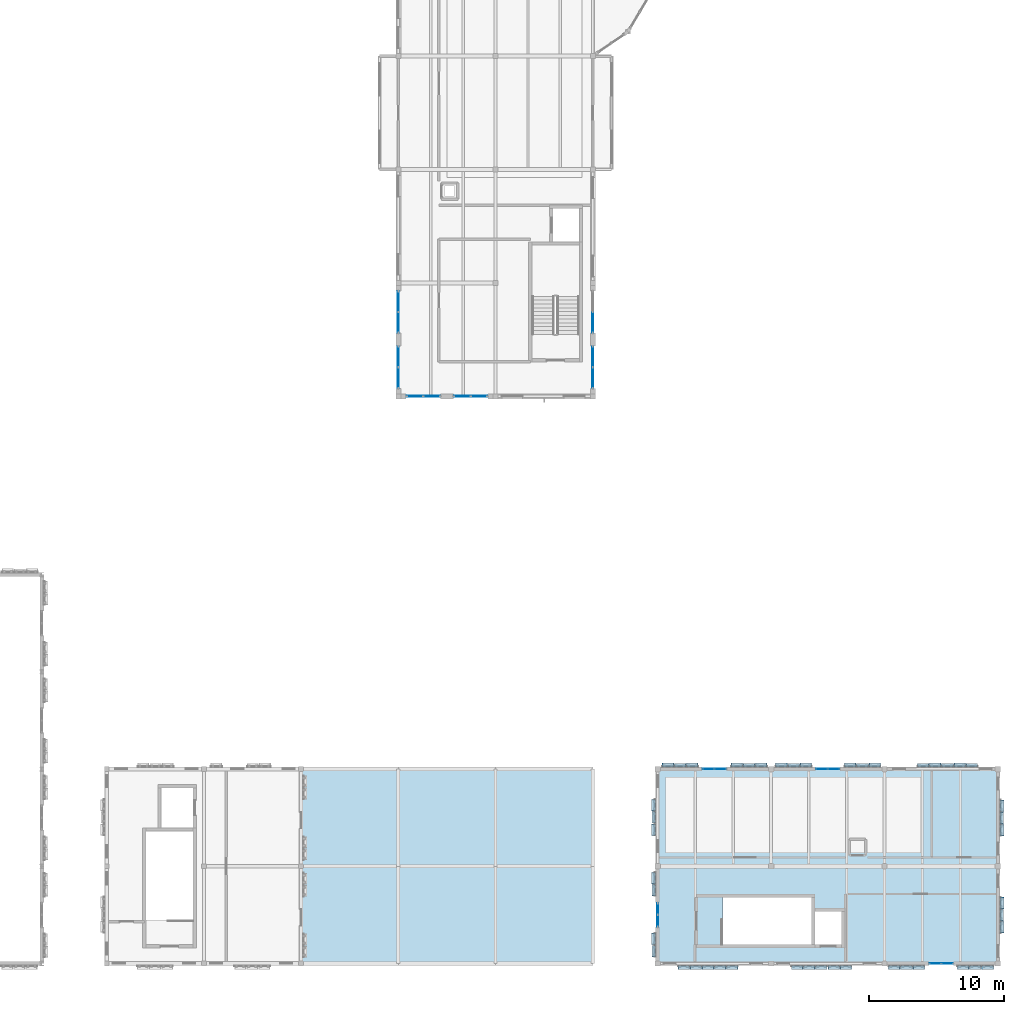
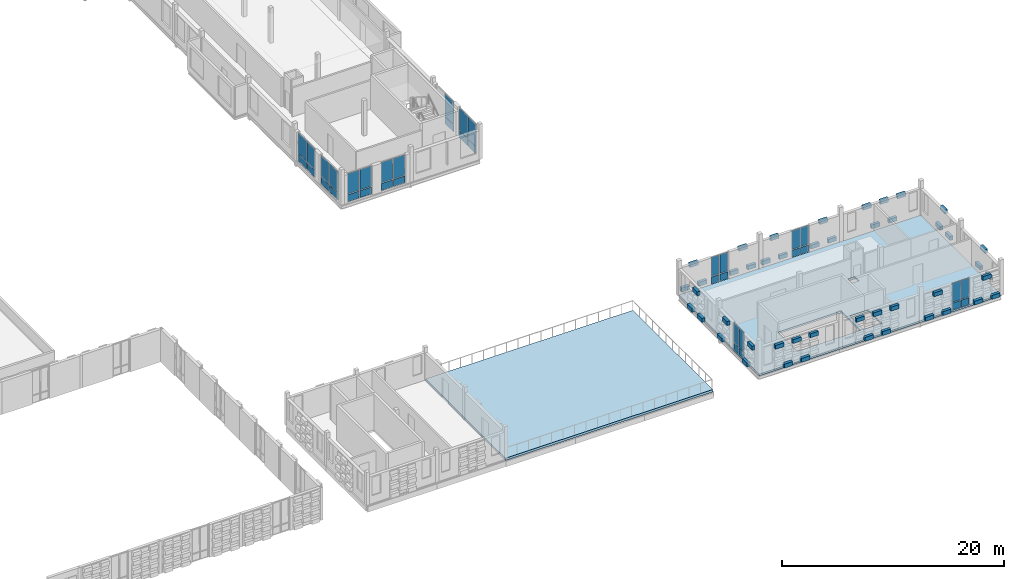
# One storey, part 24 of 57: 84 plates, 2 slabs, 10 elements without a shape of their own.
"""IFC4 building model written with IfcOpenShell, lengths in metres."""

from ifc_helpers import new_model, si_unit, direction, frame, origin, origin_2d, place, context, subcontext, project, spatial, polyline, rectangle, outline, extrude, material, layer, layer_set, type_object, element, aggregate, save


model = new_model("IFC4")

# Units and contexts
model_context = context("Model", 3, precision=1e-05, world=origin(), true_north=direction((0.0, 1.0)))
body_context = subcontext(model_context, "Body", "Model", "MODEL_VIEW")
ifc_project = project(units=[si_unit("LENGTHUNIT", "METRE"), si_unit("AREAUNIT", "SQUARE_METRE"), si_unit("VOLUMEUNIT", "CUBIC_METRE"), si_unit("PLANEANGLEUNIT", "RADIAN"), si_unit("MASSUNIT", "GRAM", prefix="KILO")], contexts=[model_context])

# Site, building, storey
site_placement = place(None, origin())
site = spatial("IfcSite", under=ifc_project, at=site_placement, CompositionType="ELEMENT")
building_placement = place(site_placement, origin())
building = spatial("IfcBuilding", under=site, at=building_placement, Name="Kahlenmark Community Centre", CompositionType="ELEMENT")
storey_placement = place(building_placement, frame((0.0, 0.0, 13.800048828125)))
storey = spatial("IfcBuildingStorey", under=building, at=storey_placement, Name="L03", CompositionType="ELEMENT", Elevation=13.800048828125)

# Curtain wall, plates
ifc_material_1 = material(Name="Anodised aluminium unitised curtain wall", Category="aluminium")
curtain_wall_type_1 = type_object("IfcCurtainWallType", Name="CWT-UNIT-254X317", PredefinedType="USERDEFINED", material=ifc_material_1)
curtain_wall_1_placement = place(storey_placement, origin())
curtain_wall_1 = element("IfcCurtainWall", 1, at=curtain_wall_1_placement, inside=storey, type_object=curtain_wall_type_1, Name="Unitised curtain wall CW-123", ObjectType="UNITISED CURTAIN WALL", PredefinedType="USERDEFINED")
ifc_material_2 = material(Name="Triple low-e solar-control glass unit", Category="glass")
ifc_layer_1 = layer(ifc_material_2, 0.0439453125)
ifc_layer_set_1 = layer_set([ifc_layer_1], Name="Triple low-e solar-control glass unit")
plate_type_1 = type_object("IfcPlateType", Name="PLT-CW-GLZ-1190X2240", PredefinedType="CURTAIN_PANEL", material=ifc_layer_set_1)
plate_1_placement = place(storey_placement, frame((73.614990234375, 50.800048828125, 0.89013671875), z_axis=(0.0, 0.0, 1.0), x_axis=(1.0, 0.0, 0.0)))
plate_1 = element("IfcPlate", 2, at=plate_1_placement, type_object=plate_type_1, Name="CW-123 glazed panel 1", PredefinedType="CURTAIN_PANEL", context=body_context, shape_type="SweptSolid", body=[
    extrude(rectangle(XDim=1.18994140625, YDim=0.0439453125, at=origin_2d()), origin(), (0.0, 0.0, 1.0), 2.239990234375),
])
plate_2_placement = place(storey_placement, frame((74.885009765625, 50.800048828125, 0.89013671875), z_axis=(0.0, 0.0, 1.0), x_axis=(1.0, 0.0, 0.0)))
plate_2 = element("IfcPlate", 3, at=plate_2_placement, type_object=plate_type_1, Name="CW-123 glazed panel 2", PredefinedType="CURTAIN_PANEL", context=body_context, shape_type="SweptSolid", body=[
    extrude(rectangle(XDim=1.18994140625, YDim=0.0439453125, at=origin_2d()), origin(), (0.0, 0.0, 1.0), 2.239990234375),
])

curtain_wall_2_placement = place(storey_placement, origin())
curtain_wall_2 = element("IfcCurtainWall", 4, at=curtain_wall_2_placement, inside=storey, type_object=curtain_wall_type_1, Name="Unitised curtain wall CW-124", ObjectType="UNITISED CURTAIN WALL", PredefinedType="USERDEFINED")
plate_3_placement = place(storey_placement, frame((77.114990234375, 50.800048828125, 0.89013671875), z_axis=(0.0, 0.0, 1.0), x_axis=(1.0, 0.0, 0.0)))
plate_3 = element("IfcPlate", 5, at=plate_3_placement, type_object=plate_type_1, Name="CW-124 glazed panel 1", PredefinedType="CURTAIN_PANEL", context=body_context, shape_type="SweptSolid", body=[
    extrude(rectangle(XDim=1.18994140625, YDim=0.0439453125, at=origin_2d()), origin(), (0.0, 0.0, 1.0), 2.239990234375),
])
plate_4_placement = place(storey_placement, frame((78.385009765625, 50.800048828125, 0.89013671875), z_axis=(0.0, 0.0, 1.0), x_axis=(1.0, 0.0, 0.0)))
plate_4 = element("IfcPlate", 6, at=plate_4_placement, type_object=plate_type_1, Name="CW-124 glazed panel 2", PredefinedType="CURTAIN_PANEL", context=body_context, shape_type="SweptSolid", body=[
    extrude(rectangle(XDim=1.18994140625, YDim=0.0439453125, at=origin_2d()), origin(), (0.0, 0.0, 1.0), 2.239990234375),
])

curtain_wall_type_2 = type_object("IfcCurtainWallType", Name="CWT-UNIT-314X320", PredefinedType="USERDEFINED", material=ifc_material_1)
curtain_wall_3_placement = place(storey_placement, origin())
curtain_wall_3 = element("IfcCurtainWall", 7, at=curtain_wall_3_placement, inside=storey, type_object=curtain_wall_type_2, Name="Unitised curtain wall CW-125", ObjectType="UNITISED CURTAIN WALL", PredefinedType="USERDEFINED")
ifc_layer_2 = layer(ifc_material_2, 0.0439453125)
ifc_layer_set_2 = layer_set([ifc_layer_2], Name="Triple low-e solar-control glass unit")
plate_type_2 = type_object("IfcPlateType", Name="PLT-CW-GLZ-1490X2270", PredefinedType="CURTAIN_PANEL", material=ifc_layer_set_2)
plate_5_placement = place(storey_placement, frame((72.39990234375, 57.8349609375, 0.889892578125), z_axis=(0.0, 0.0, 1.0), x_axis=(0.0, -1.0, 0.0)))
plate_5 = element("IfcPlate", 8, at=plate_5_placement, type_object=plate_type_2, Name="CW-125 glazed panel 1", PredefinedType="CURTAIN_PANEL", context=body_context, shape_type="SweptSolid", body=[
    extrude(rectangle(XDim=1.489990234375, YDim=0.0439453125, at=origin_2d()), origin(), (0.0, 0.0, 1.0), 2.27001953125),
])
plate_6_placement = place(storey_placement, frame((72.39990234375, 56.264892578125, 0.889892578125), z_axis=(0.0, 0.0, 1.0), x_axis=(0.0, -1.0, 0.0)))
plate_6 = element("IfcPlate", 9, at=plate_6_placement, type_object=plate_type_2, Name="CW-125 glazed panel 2", PredefinedType="CURTAIN_PANEL", context=body_context, shape_type="SweptSolid", body=[
    extrude(rectangle(XDim=1.489990234375, YDim=0.0439453125, at=origin_2d()), origin(), (0.0, 0.0, 1.0), 2.27001953125),
])

curtain_wall_4_placement = place(storey_placement, origin())
curtain_wall_4 = element("IfcCurtainWall", 10, at=curtain_wall_4_placement, inside=storey, type_object=curtain_wall_type_2, Name="Unitised curtain wall CW-126", ObjectType="UNITISED CURTAIN WALL", PredefinedType="USERDEFINED")
plate_7_placement = place(storey_placement, frame((72.39990234375, 53.735107421875, 0.889892578125), z_axis=(0.0, 0.0, 1.0), x_axis=(0.0, -1.0, 0.0)))
plate_7 = element("IfcPlate", 11, at=plate_7_placement, type_object=plate_type_2, Name="CW-126 glazed panel 1", PredefinedType="CURTAIN_PANEL", context=body_context, shape_type="SweptSolid", body=[
    extrude(rectangle(XDim=1.489990234375, YDim=0.0439453125, at=origin_2d()), origin(), (0.0, 0.0, 1.0), 2.27001953125),
])
plate_8_placement = place(storey_placement, frame((72.39990234375, 52.1650390625, 0.889892578125), z_axis=(0.0, 0.0, 1.0), x_axis=(0.0, -1.0, 0.0)))
plate_8 = element("IfcPlate", 12, at=plate_8_placement, type_object=plate_type_2, Name="CW-126 glazed panel 2", PredefinedType="CURTAIN_PANEL", context=body_context, shape_type="SweptSolid", body=[
    extrude(rectangle(XDim=1.489990234375, YDim=0.0439453125, at=origin_2d()), origin(), (0.0, 0.0, 1.0), 2.27001953125),
])

curtain_wall_type_3 = type_object("IfcCurtainWallType", Name="CWT-UNIT-314X339", PredefinedType="USERDEFINED", material=ifc_material_1)
curtain_wall_5_placement = place(storey_placement, origin())
curtain_wall_5 = element("IfcCurtainWall", 13, at=curtain_wall_5_placement, inside=storey, type_object=curtain_wall_type_3, Name="Unitised curtain wall CW-127", ObjectType="UNITISED CURTAIN WALL", PredefinedType="USERDEFINED")
ifc_layer_3 = layer(ifc_material_2, 0.0439453125)
ifc_layer_set_3 = layer_set([ifc_layer_3], Name="Triple low-e solar-control glass unit")
plate_type_3 = type_object("IfcPlateType", Name="PLT-CW-GLZ-1490X2460", PredefinedType="CURTAIN_PANEL", material=ifc_layer_set_3)
plate_9_placement = place(storey_placement, frame((86.800048828125, 52.1650390625, 0.889892578125), z_axis=(0.0, 0.0, 1.0), x_axis=(0.0, 1.0, 0.0)))
plate_9 = element("IfcPlate", 14, at=plate_9_placement, type_object=plate_type_3, Name="CW-127 glazed panel 1", PredefinedType="CURTAIN_PANEL", context=body_context, shape_type="SweptSolid", body=[
    extrude(rectangle(XDim=1.489990234375, YDim=0.0439453125, at=origin_2d()), origin(), (0.0, 0.0, 1.0), 2.4599609375),
])
plate_10_placement = place(storey_placement, frame((86.800048828125, 53.735107421875, 0.889892578125), z_axis=(0.0, 0.0, 1.0), x_axis=(0.0, 1.0, 0.0)))
plate_10 = element("IfcPlate", 15, at=plate_10_placement, type_object=plate_type_3, Name="CW-127 glazed panel 2", PredefinedType="CURTAIN_PANEL", context=body_context, shape_type="SweptSolid", body=[
    extrude(rectangle(XDim=1.489990234375, YDim=0.0439453125, at=origin_2d()), origin(), (0.0, 0.0, 1.0), 2.4599609375),
])

# Curtain wall, plate
curtain_wall_6_placement = place(storey_placement, origin())
curtain_wall_6 = element("IfcCurtainWall", 16, at=curtain_wall_6_placement, inside=storey, type_object=curtain_wall_type_3, Name="Unitised curtain wall CW-128", ObjectType="UNITISED CURTAIN WALL", PredefinedType="USERDEFINED")
plate_11_placement = place(storey_placement, frame((86.800048828125, 56.264892578125, 0.889892578125), z_axis=(0.0, 0.0, 1.0), x_axis=(0.0, 1.0, 0.0)))
plate_11 = element("IfcPlate", 17, at=plate_11_placement, type_object=plate_type_3, Name="CW-128 glazed panel 1", PredefinedType="CURTAIN_PANEL", context=body_context, shape_type="SweptSolid", body=[
    extrude(rectangle(XDim=1.489990234375, YDim=0.0439453125, at=origin_2d()), origin(), (0.0, 0.0, 1.0), 2.4599609375),
])

# Curtain wall, plates
curtain_wall_type_4 = type_object("IfcCurtainWallType", Name="CWT-UNIT-180X301", PredefinedType="USERDEFINED", material=ifc_material_1)
curtain_wall_7_placement = place(storey_placement, origin())
curtain_wall_7 = element("IfcCurtainWall", 18, at=curtain_wall_7_placement, inside=storey, type_object=curtain_wall_type_4, Name="Unitised curtain wall CW-129", ObjectType="UNITISED CURTAIN WALL", PredefinedType="USERDEFINED")
ifc_layer_4 = layer(ifc_material_2, 0.0439453125)
ifc_layer_set_4 = layer_set([ifc_layer_4], Name="Triple low-e solar-control glass unit")
plate_type_4 = type_object("IfcPlateType", Name="PLT-CW-GLZ-820X2080", PredefinedType="CURTAIN_PANEL", material=ifc_layer_set_4)
plate_12_placement = place(storey_placement, frame((112.14990234375, 8.800048828125, 0.889892578125), z_axis=(0.0, 0.0, 1.0), x_axis=(1.0, 0.0, 0.0)))
plate_12 = element("IfcPlate", 19, at=plate_12_placement, type_object=plate_type_4, Name="CW-129 glazed panel 1", PredefinedType="CURTAIN_PANEL", context=body_context, shape_type="SweptSolid", body=[
    extrude(rectangle(XDim=0.820068359375, YDim=0.0439453125, at=origin_2d()), origin(), (0.0, 0.0, 1.0), 2.080078125),
])
plate_13_placement = place(storey_placement, frame((113.050048828125, 8.800048828125, 0.889892578125), z_axis=(0.0, 0.0, 1.0), x_axis=(1.0, 0.0, 0.0)))
plate_13 = element("IfcPlate", 20, at=plate_13_placement, type_object=plate_type_4, Name="CW-129 glazed panel 2", PredefinedType="CURTAIN_PANEL", context=body_context, shape_type="SweptSolid", body=[
    extrude(rectangle(XDim=0.820068359375, YDim=0.0439453125, at=origin_2d()), origin(), (0.0, 0.0, 1.0), 2.080078125),
])

curtain_wall_8_placement = place(storey_placement, origin())
curtain_wall_8 = element("IfcCurtainWall", 21, at=curtain_wall_8_placement, inside=storey, type_object=curtain_wall_type_4, Name="Unitised curtain wall CW-130", ObjectType="UNITISED CURTAIN WALL", PredefinedType="USERDEFINED")
plate_14_placement = place(storey_placement, frame((96.25, 23.199951171875, 0.889892578125), z_axis=(0.0, 0.0, 1.0), x_axis=(-1.0, 0.0, 0.0)))
plate_14 = element("IfcPlate", 22, at=plate_14_placement, type_object=plate_type_4, Name="CW-130 glazed panel 1", PredefinedType="CURTAIN_PANEL", context=body_context, shape_type="SweptSolid", body=[
    extrude(rectangle(XDim=0.820068359375, YDim=0.0439453125, at=origin_2d()), origin(), (0.0, 0.0, 1.0), 2.080078125),
])
plate_15_placement = place(storey_placement, frame((95.35009765625, 23.199951171875, 0.889892578125), z_axis=(0.0, 0.0, 1.0), x_axis=(-1.0, 0.0, 0.0)))
plate_15 = element("IfcPlate", 23, at=plate_15_placement, type_object=plate_type_4, Name="CW-130 glazed panel 2", PredefinedType="CURTAIN_PANEL", context=body_context, shape_type="SweptSolid", body=[
    extrude(rectangle(XDim=0.820068359375, YDim=0.0439453125, at=origin_2d()), origin(), (0.0, 0.0, 1.0), 2.080078125),
])

curtain_wall_9_placement = place(storey_placement, origin())
curtain_wall_9 = element("IfcCurtainWall", 24, at=curtain_wall_9_placement, inside=storey, type_object=curtain_wall_type_4, Name="Unitised curtain wall CW-131", ObjectType="UNITISED CURTAIN WALL", PredefinedType="USERDEFINED")
plate_16_placement = place(storey_placement, frame((104.64990234375, 23.199951171875, 0.889892578125), z_axis=(0.0, 0.0, 1.0), x_axis=(-1.0, 0.0, 0.0)))
plate_16 = element("IfcPlate", 25, at=plate_16_placement, type_object=plate_type_4, Name="CW-131 glazed panel 1", PredefinedType="CURTAIN_PANEL", context=body_context, shape_type="SweptSolid", body=[
    extrude(rectangle(XDim=0.820068359375, YDim=0.0439453125, at=origin_2d()), origin(), (0.0, 0.0, 1.0), 2.080078125),
])
plate_17_placement = place(storey_placement, frame((103.75, 23.199951171875, 0.889892578125), z_axis=(0.0, 0.0, 1.0), x_axis=(-1.0, 0.0, 0.0)))
plate_17 = element("IfcPlate", 26, at=plate_17_placement, type_object=plate_type_4, Name="CW-131 glazed panel 2", PredefinedType="CURTAIN_PANEL", context=body_context, shape_type="SweptSolid", body=[
    extrude(rectangle(XDim=0.820068359375, YDim=0.0439453125, at=origin_2d()), origin(), (0.0, 0.0, 1.0), 2.080078125),
])

curtain_wall_10_placement = place(storey_placement, origin())
curtain_wall_10 = element("IfcCurtainWall", 27, at=curtain_wall_10_placement, inside=storey, type_object=curtain_wall_type_4, Name="Unitised curtain wall CW-132", ObjectType="UNITISED CURTAIN WALL", PredefinedType="USERDEFINED")
plate_18_placement = place(storey_placement, frame((91.60009765625, 12.85009765625, 0.889892578125), z_axis=(0.0, 0.0, 1.0), x_axis=(0.0, -1.0, 0.0)))
plate_18 = element("IfcPlate", 28, at=plate_18_placement, type_object=plate_type_4, Name="CW-132 glazed panel 1", PredefinedType="CURTAIN_PANEL", context=body_context, shape_type="SweptSolid", body=[
    extrude(rectangle(XDim=0.820068359375, YDim=0.0439453125, at=origin_2d()), origin(), (0.0, 0.0, 1.0), 2.080078125),
])
plate_19_placement = place(storey_placement, frame((91.60009765625, 11.949951171875, 0.889892578125), z_axis=(0.0, 0.0, 1.0), x_axis=(0.0, -1.0, 0.0)))
plate_19 = element("IfcPlate", 29, at=plate_19_placement, type_object=plate_type_4, Name="CW-132 glazed panel 2", PredefinedType="CURTAIN_PANEL", context=body_context, shape_type="SweptSolid", body=[
    extrude(rectangle(XDim=0.820068359375, YDim=0.0439453125, at=origin_2d()), origin(), (0.0, 0.0, 1.0), 2.080078125),
])

# Plate
ifc_material_3 = material(Name="Warm terracotta insulated spandrel cassette", Category="masonry")
ifc_layer_5 = layer(ifc_material_3, 0.06005859375)
ifc_layer_set_5 = layer_set([ifc_layer_5], Name="Warm terracotta insulated spandrel cassette")
plate_type_5 = type_object("IfcPlateType", Name="PLT-CW-SPD-1190X770", PredefinedType="CURTAIN_PANEL", material=ifc_layer_set_5)
plate_20_placement = place(storey_placement, frame((73.614990234375, 50.800048828125, 0.0400390625), z_axis=(0.0, 0.0, 1.0), x_axis=(1.0, 0.0, 0.0)))
plate_20 = element("IfcPlate", 30, at=plate_20_placement, type_object=plate_type_5, Name="CW-123 spandrel 1", PredefinedType="CURTAIN_PANEL", context=body_context, shape_type="SweptSolid", body=[
    extrude(rectangle(XDim=1.18994140625, YDim=0.06005859375, at=origin_2d()), origin(), (0.0, 0.0, 1.0), 0.77001953125),
])

plate_21_placement = place(storey_placement, frame((74.885009765625, 50.800048828125, 0.0400390625), z_axis=(0.0, 0.0, 1.0), x_axis=(1.0, 0.0, 0.0)))
plate_21 = element("IfcPlate", 31, at=plate_21_placement, type_object=plate_type_5, Name="CW-123 spandrel 2", PredefinedType="CURTAIN_PANEL", context=body_context, shape_type="SweptSolid", body=[
    extrude(rectangle(XDim=1.18994140625, YDim=0.06005859375, at=origin_2d()), origin(), (0.0, 0.0, 1.0), 0.77001953125),
])

aggregate(curtain_wall_1, [plate_20, plate_1, plate_21, plate_2])

plate_22_placement = place(storey_placement, frame((77.114990234375, 50.800048828125, 0.0400390625), z_axis=(0.0, 0.0, 1.0), x_axis=(1.0, 0.0, 0.0)))
plate_22 = element("IfcPlate", 32, at=plate_22_placement, type_object=plate_type_5, Name="CW-124 spandrel 1", PredefinedType="CURTAIN_PANEL", context=body_context, shape_type="SweptSolid", body=[
    extrude(rectangle(XDim=1.18994140625, YDim=0.06005859375, at=origin_2d()), origin(), (0.0, 0.0, 1.0), 0.77001953125),
])

plate_23_placement = place(storey_placement, frame((78.385009765625, 50.800048828125, 0.0400390625), z_axis=(0.0, 0.0, 1.0), x_axis=(1.0, 0.0, 0.0)))
plate_23 = element("IfcPlate", 33, at=plate_23_placement, type_object=plate_type_5, Name="CW-124 spandrel 2", PredefinedType="CURTAIN_PANEL", context=body_context, shape_type="SweptSolid", body=[
    extrude(rectangle(XDim=1.18994140625, YDim=0.06005859375, at=origin_2d()), origin(), (0.0, 0.0, 1.0), 0.77001953125),
])

aggregate(curtain_wall_2, [plate_22, plate_3, plate_23, plate_4])

ifc_layer_6 = layer(ifc_material_3, 0.06005859375)
ifc_layer_set_6 = layer_set([ifc_layer_6], Name="Warm terracotta insulated spandrel cassette")
plate_type_6 = type_object("IfcPlateType", Name="PLT-CW-SPD-1490X770", PredefinedType="CURTAIN_PANEL", material=ifc_layer_set_6)
plate_24_placement = place(storey_placement, frame((72.39990234375, 57.8349609375, 0.0400390625), z_axis=(0.0, 0.0, 1.0), x_axis=(0.0, -1.0, 0.0)))
plate_24 = element("IfcPlate", 34, at=plate_24_placement, type_object=plate_type_6, Name="CW-125 spandrel 1", PredefinedType="CURTAIN_PANEL", context=body_context, shape_type="SweptSolid", body=[
    extrude(rectangle(XDim=1.489990234375, YDim=0.06005859375, at=origin_2d()), origin(), (0.0, 0.0, 1.0), 0.77001953125),
])

plate_25_placement = place(storey_placement, frame((72.39990234375, 56.264892578125, 0.0400390625), z_axis=(0.0, 0.0, 1.0), x_axis=(0.0, -1.0, 0.0)))
plate_25 = element("IfcPlate", 35, at=plate_25_placement, type_object=plate_type_6, Name="CW-125 spandrel 2", PredefinedType="CURTAIN_PANEL", context=body_context, shape_type="SweptSolid", body=[
    extrude(rectangle(XDim=1.489990234375, YDim=0.06005859375, at=origin_2d()), origin(), (0.0, 0.0, 1.0), 0.77001953125),
])

aggregate(curtain_wall_3, [plate_24, plate_5, plate_25, plate_6])

plate_26_placement = place(storey_placement, frame((72.39990234375, 53.735107421875, 0.0400390625), z_axis=(0.0, 0.0, 1.0), x_axis=(0.0, -1.0, 0.0)))
plate_26 = element("IfcPlate", 36, at=plate_26_placement, type_object=plate_type_6, Name="CW-126 spandrel 1", PredefinedType="CURTAIN_PANEL", context=body_context, shape_type="SweptSolid", body=[
    extrude(rectangle(XDim=1.489990234375, YDim=0.06005859375, at=origin_2d()), origin(), (0.0, 0.0, 1.0), 0.77001953125),
])

plate_27_placement = place(storey_placement, frame((72.39990234375, 52.1650390625, 0.0400390625), z_axis=(0.0, 0.0, 1.0), x_axis=(0.0, -1.0, 0.0)))
plate_27 = element("IfcPlate", 37, at=plate_27_placement, type_object=plate_type_6, Name="CW-126 spandrel 2", PredefinedType="CURTAIN_PANEL", context=body_context, shape_type="SweptSolid", body=[
    extrude(rectangle(XDim=1.489990234375, YDim=0.06005859375, at=origin_2d()), origin(), (0.0, 0.0, 1.0), 0.77001953125),
])

aggregate(curtain_wall_4, [plate_26, plate_7, plate_27, plate_8])

plate_28_placement = place(storey_placement, frame((86.800048828125, 52.1650390625, 0.0400390625), z_axis=(0.0, 0.0, 1.0), x_axis=(0.0, 1.0, 0.0)))
plate_28 = element("IfcPlate", 38, at=plate_28_placement, type_object=plate_type_6, Name="CW-127 spandrel 1", PredefinedType="CURTAIN_PANEL", context=body_context, shape_type="SweptSolid", body=[
    extrude(rectangle(XDim=1.489990234375, YDim=0.06005859375, at=origin_2d()), origin(), (0.0, 0.0, 1.0), 0.77001953125),
])

plate_29_placement = place(storey_placement, frame((86.800048828125, 53.735107421875, 0.0400390625), z_axis=(0.0, 0.0, 1.0), x_axis=(0.0, 1.0, 0.0)))
plate_29 = element("IfcPlate", 39, at=plate_29_placement, type_object=plate_type_6, Name="CW-127 spandrel 2", PredefinedType="CURTAIN_PANEL", context=body_context, shape_type="SweptSolid", body=[
    extrude(rectangle(XDim=1.489990234375, YDim=0.06005859375, at=origin_2d()), origin(), (0.0, 0.0, 1.0), 0.77001953125),
])

aggregate(curtain_wall_5, [plate_28, plate_9, plate_29, plate_10])

plate_30_placement = place(storey_placement, frame((86.800048828125, 56.264892578125, 0.0400390625), z_axis=(0.0, 0.0, 1.0), x_axis=(0.0, 1.0, 0.0)))
plate_30 = element("IfcPlate", 40, at=plate_30_placement, type_object=plate_type_6, Name="CW-128 spandrel 1", PredefinedType="CURTAIN_PANEL", context=body_context, shape_type="SweptSolid", body=[
    extrude(rectangle(XDim=1.489990234375, YDim=0.06005859375, at=origin_2d()), origin(), (0.0, 0.0, 1.0), 0.77001953125),
])

aggregate(curtain_wall_6, [plate_30, plate_11])

ifc_layer_7 = layer(ifc_material_3, 0.06005859375)
ifc_layer_set_7 = layer_set([ifc_layer_7], Name="Warm terracotta insulated spandrel cassette")
plate_type_7 = type_object("IfcPlateType", Name="PLT-CW-SPD-820X770", PredefinedType="CURTAIN_PANEL", material=ifc_layer_set_7)
plate_31_placement = place(storey_placement, frame((112.14990234375, 8.800048828125, 0.0400390625), z_axis=(0.0, 0.0, 1.0), x_axis=(1.0, 0.0, 0.0)))
plate_31 = element("IfcPlate", 41, at=plate_31_placement, type_object=plate_type_7, Name="CW-129 spandrel 1", PredefinedType="CURTAIN_PANEL", context=body_context, shape_type="SweptSolid", body=[
    extrude(rectangle(XDim=0.820068359375, YDim=0.06005859375, at=origin_2d()), origin(), (0.0, 0.0, 1.0), 0.77001953125),
])

plate_32_placement = place(storey_placement, frame((113.050048828125, 8.800048828125, 0.0400390625), z_axis=(0.0, 0.0, 1.0), x_axis=(1.0, 0.0, 0.0)))
plate_32 = element("IfcPlate", 42, at=plate_32_placement, type_object=plate_type_7, Name="CW-129 spandrel 2", PredefinedType="CURTAIN_PANEL", context=body_context, shape_type="SweptSolid", body=[
    extrude(rectangle(XDim=0.820068359375, YDim=0.06005859375, at=origin_2d()), origin(), (0.0, 0.0, 1.0), 0.77001953125),
])

aggregate(curtain_wall_7, [plate_31, plate_12, plate_32, plate_13])

plate_33_placement = place(storey_placement, frame((96.25, 23.199951171875, 0.0400390625), z_axis=(0.0, 0.0, 1.0), x_axis=(-1.0, 0.0, 0.0)))
plate_33 = element("IfcPlate", 43, at=plate_33_placement, type_object=plate_type_7, Name="CW-130 spandrel 1", PredefinedType="CURTAIN_PANEL", context=body_context, shape_type="SweptSolid", body=[
    extrude(rectangle(XDim=0.820068359375, YDim=0.06005859375, at=origin_2d()), origin(), (0.0, 0.0, 1.0), 0.77001953125),
])

plate_34_placement = place(storey_placement, frame((95.35009765625, 23.199951171875, 0.0400390625), z_axis=(0.0, 0.0, 1.0), x_axis=(-1.0, 0.0, 0.0)))
plate_34 = element("IfcPlate", 44, at=plate_34_placement, type_object=plate_type_7, Name="CW-130 spandrel 2", PredefinedType="CURTAIN_PANEL", context=body_context, shape_type="SweptSolid", body=[
    extrude(rectangle(XDim=0.820068359375, YDim=0.06005859375, at=origin_2d()), origin(), (0.0, 0.0, 1.0), 0.77001953125),
])

aggregate(curtain_wall_8, [plate_33, plate_14, plate_34, plate_15])

plate_35_placement = place(storey_placement, frame((104.64990234375, 23.199951171875, 0.0400390625), z_axis=(0.0, 0.0, 1.0), x_axis=(-1.0, 0.0, 0.0)))
plate_35 = element("IfcPlate", 45, at=plate_35_placement, type_object=plate_type_7, Name="CW-131 spandrel 1", PredefinedType="CURTAIN_PANEL", context=body_context, shape_type="SweptSolid", body=[
    extrude(rectangle(XDim=0.820068359375, YDim=0.06005859375, at=origin_2d()), origin(), (0.0, 0.0, 1.0), 0.77001953125),
])

plate_36_placement = place(storey_placement, frame((103.75, 23.199951171875, 0.0400390625), z_axis=(0.0, 0.0, 1.0), x_axis=(-1.0, 0.0, 0.0)))
plate_36 = element("IfcPlate", 46, at=plate_36_placement, type_object=plate_type_7, Name="CW-131 spandrel 2", PredefinedType="CURTAIN_PANEL", context=body_context, shape_type="SweptSolid", body=[
    extrude(rectangle(XDim=0.820068359375, YDim=0.06005859375, at=origin_2d()), origin(), (0.0, 0.0, 1.0), 0.77001953125),
])

aggregate(curtain_wall_9, [plate_35, plate_16, plate_36, plate_17])

plate_37_placement = place(storey_placement, frame((91.60009765625, 12.85009765625, 0.0400390625), z_axis=(0.0, 0.0, 1.0), x_axis=(0.0, -1.0, 0.0)))
plate_37 = element("IfcPlate", 47, at=plate_37_placement, type_object=plate_type_7, Name="CW-132 spandrel 1", PredefinedType="CURTAIN_PANEL", context=body_context, shape_type="SweptSolid", body=[
    extrude(rectangle(XDim=0.820068359375, YDim=0.06005859375, at=origin_2d()), origin(), (0.0, 0.0, 1.0), 0.77001953125),
])

plate_38_placement = place(storey_placement, frame((91.60009765625, 11.949951171875, 0.0400390625), z_axis=(0.0, 0.0, 1.0), x_axis=(0.0, -1.0, 0.0)))
plate_38 = element("IfcPlate", 48, at=plate_38_placement, type_object=plate_type_7, Name="CW-132 spandrel 2", PredefinedType="CURTAIN_PANEL", context=body_context, shape_type="SweptSolid", body=[
    extrude(rectangle(XDim=0.820068359375, YDim=0.06005859375, at=origin_2d()), origin(), (0.0, 0.0, 1.0), 0.77001953125),
])

aggregate(curtain_wall_10, [plate_37, plate_18, plate_38, plate_19])

# Plates
ifc_material_4 = material(Name="Extruded glazed terracotta weave cassette", Category="masonry")
ifc_layer_8 = layer(ifc_material_4, 0.300048828125)
ifc_layer_set_8 = layer_set([ifc_layer_8], Name="Extruded glazed terracotta weave cassette")
plate_type_8 = type_object("IfcPlateType", Name="PLT-TC-TC-R34-860X300X435", PredefinedType="SHEET", material=ifc_layer_set_8)
for number, where, z_axis, x_axis, name in (
    (49, (94.429931640625, 8.5, 0.099853515625), (0.0, 0.0, 1.0), (1.0, 0.0, 0.0), "Basketweave terracotta cassette 4202"),
    (50, (96.22998046875, 8.5, 0.099853515625), (0.0, 0.0, 1.0), (1.0, 0.0, 0.0), "Basketweave terracotta cassette 4214"),
    (51, (102.830078125, 8.5, 0.099853515625), (0.0, 0.0, 1.0), (1.0, 0.0, 0.0), "Basketweave terracotta cassette 4232"),
    (52, (104.6298828125, 8.5, 0.099853515625), (0.0, 0.0, 1.0), (1.0, 0.0, 0.0), "Basketweave terracotta cassette 4244"),
    (53, (109.1298828125, 8.5, 0.099853515625), (0.0, 0.0, 1.0), (1.0, 0.0, 0.0), "Basketweave terracotta cassette 4256"),
    (54, (110.929931640625, 8.5, 0.099853515625), (0.0, 0.0, 1.0), (1.0, 0.0, 0.0), "Basketweave terracotta cassette 4268"),
    (55, (114.22998046875, 8.5, 0.099853515625), (0.0, 0.0, 1.0), (1.0, 0.0, 0.0), "Basketweave terracotta cassette 4274"),
    (56, (116.030029296875, 8.5, 0.099853515625), (0.0, 0.0, 1.0), (1.0, 0.0, 0.0), "Basketweave terracotta cassette 4286"),
    (57, (99.27001953125, 23.5, 0.099853515625), (0.0, 0.0, 1.0), (-1.0, 0.0, 0.0), "Basketweave terracotta cassette 4292"),
    (58, (97.469970703125, 23.5, 0.099853515625), (0.0, 0.0, 1.0), (-1.0, 0.0, 0.0), "Basketweave terracotta cassette 4304"),
    (59, (94.169921875, 23.5, 0.099853515625), (0.0, 0.0, 1.0), (-1.0, 0.0, 0.0), "Basketweave terracotta cassette 4310"),
    (60, (92.3701171875, 23.5, 0.099853515625), (0.0, 0.0, 1.0), (-1.0, 0.0, 0.0), "Basketweave terracotta cassette 4322"),
    (61, (107.669921875, 23.5, 0.099853515625), (0.0, 0.0, 1.0), (-1.0, 0.0, 0.0), "Basketweave terracotta cassette 4328"),
    (62, (105.8701171875, 23.5, 0.099853515625), (0.0, 0.0, 1.0), (-1.0, 0.0, 0.0), "Basketweave terracotta cassette 4340"),
    (63, (102.570068359375, 23.5, 0.099853515625), (0.0, 0.0, 1.0), (-1.0, 0.0, 0.0), "Basketweave terracotta cassette 4346"),
    (64, (100.77001953125, 23.5, 0.099853515625), (0.0, 0.0, 1.0), (-1.0, 0.0, 0.0), "Basketweave terracotta cassette 4358"),
    (65, (113.969970703125, 23.5, 0.099853515625), (0.0, 0.0, 1.0), (-1.0, 0.0, 0.0), "Basketweave terracotta cassette 4370"),
    (66, (112.169921875, 23.5, 0.099853515625), (0.0, 0.0, 1.0), (-1.0, 0.0, 0.0), "Basketweave terracotta cassette 4382"),
    (67, (91.300048828125, 15.1201171875, 0.099853515625), (0.0, 0.0, 1.0), (0.0, -1.0, 0.0), "Basketweave terracotta cassette 4394"),
    (68, (91.300048828125, 10.6201171875, 0.099853515625), (0.0, 0.0, 1.0), (0.0, -1.0, 0.0), "Basketweave terracotta cassette 4406"),
    (69, (91.300048828125, 20.52001953125, 0.099853515625), (0.0, 0.0, 1.0), (0.0, -1.0, 0.0), "Basketweave terracotta cassette 4418"),
    (70, (91.300048828125, 18.719970703125, 0.099853515625), (0.0, 0.0, 1.0), (0.0, -1.0, 0.0), "Basketweave terracotta cassette 4430"),
    (71, (117.10009765625, 11.47998046875, 0.099853515625), (0.0, 0.0, 1.0), (0.0, 1.0, 0.0), "Basketweave terracotta cassette 4436"),
    (72, (117.10009765625, 13.280029296875, 0.099853515625), (0.0, 0.0, 1.0), (0.0, 1.0, 0.0), "Basketweave terracotta cassette 4448"),
    (73, (117.10009765625, 18.679931640625, 0.099853515625), (0.0, 0.0, 1.0), (0.0, 1.0, 0.0), "Basketweave terracotta cassette 4454"),
    (74, (117.10009765625, 20.47998046875, 0.099853515625), (0.0, 0.0, 1.0), (0.0, 1.0, 0.0), "Basketweave terracotta cassette 4466"),
):
    element("IfcPlate", number, at=place(storey_placement, frame(where, z_axis=z_axis, x_axis=x_axis)), inside=storey, type_object=plate_type_8, Name=name, PredefinedType="SHEET", context=body_context, shape_type="SweptSolid", body=[
        extrude(rectangle(XDim=0.860107421875, YDim=0.300048828125, at=origin_2d()), origin(), (0.0, 0.0, 1.0), 0.43505859375),
    ])
ifc_layer_9 = layer(ifc_material_4, 0.280029296875)
ifc_layer_set_9 = layer_set([ifc_layer_9], Name="Extruded glazed terracotta weave cassette")
plate_type_9 = type_object("IfcPlateType", Name="PLT-TC-TC-W30-860X280X435", PredefinedType="SHEET", material=ifc_layer_set_9)
for number, where, z_axis, x_axis, name in (
    (75, (93.530029296875, 8.510009765625, 2.474853515625), (0.0, 0.0, 1.0), (1.0, 0.0, 0.0), "Basketweave terracotta cassette 4201"),
    (76, (95.330078125, 8.510009765625, 2.474853515625), (0.0, 0.0, 1.0), (1.0, 0.0, 0.0), "Basketweave terracotta cassette 4213"),
    (77, (97.1298828125, 8.510009765625, 2.474853515625), (0.0, 0.0, 1.0), (1.0, 0.0, 0.0), "Basketweave terracotta cassette 4225"),
    (78, (101.929931640625, 8.510009765625, 2.474853515625), (0.0, 0.0, 1.0), (1.0, 0.0, 0.0), "Basketweave terracotta cassette 4231"),
    (79, (103.72998046875, 8.510009765625, 2.474853515625), (0.0, 0.0, 1.0), (1.0, 0.0, 0.0), "Basketweave terracotta cassette 4243"),
    (80, (105.530029296875, 8.510009765625, 2.474853515625), (0.0, 0.0, 1.0), (1.0, 0.0, 0.0), "Basketweave terracotta cassette 4255"),
    (81, (110.030029296875, 8.510009765625, 2.474853515625), (0.0, 0.0, 1.0), (1.0, 0.0, 0.0), "Basketweave terracotta cassette 4267"),
    (82, (115.1298828125, 8.510009765625, 2.474853515625), (0.0, 0.0, 1.0), (1.0, 0.0, 0.0), "Basketweave terracotta cassette 4285"),
    (83, (98.3701171875, 23.489990234375, 2.474853515625), (0.0, 0.0, 1.0), (-1.0, 0.0, 0.0), "Basketweave terracotta cassette 4303"),
    (84, (93.27001953125, 23.489990234375, 2.474853515625), (0.0, 0.0, 1.0), (-1.0, 0.0, 0.0), "Basketweave terracotta cassette 4321"),
    (85, (106.77001953125, 23.489990234375, 2.474853515625), (0.0, 0.0, 1.0), (-1.0, 0.0, 0.0), "Basketweave terracotta cassette 4339"),
    (86, (101.669921875, 23.489990234375, 2.474853515625), (0.0, 0.0, 1.0), (-1.0, 0.0, 0.0), "Basketweave terracotta cassette 4357"),
    (87, (114.8701171875, 23.489990234375, 2.474853515625), (0.0, 0.0, 1.0), (-1.0, 0.0, 0.0), "Basketweave terracotta cassette 4369"),
    (88, (113.070068359375, 23.489990234375, 2.474853515625), (0.0, 0.0, 1.0), (-1.0, 0.0, 0.0), "Basketweave terracotta cassette 4381"),
    (89, (111.27001953125, 23.489990234375, 2.474853515625), (0.0, 0.0, 1.0), (-1.0, 0.0, 0.0), "Basketweave terracotta cassette 4393"),
    (90, (91.31005859375, 14.219970703125, 2.474853515625), (0.0, 0.0, 1.0), (0.0, -1.0, 0.0), "Basketweave terracotta cassette 4405"),
    (91, (91.31005859375, 9.719970703125, 2.474853515625), (0.0, 0.0, 1.0), (0.0, -1.0, 0.0), "Basketweave terracotta cassette 4417"),
    (92, (91.31005859375, 19.6201171875, 2.474853515625), (0.0, 0.0, 1.0), (0.0, -1.0, 0.0), "Basketweave terracotta cassette 4429"),
    (93, (117.090087890625, 12.3798828125, 2.474853515625), (0.0, 0.0, 1.0), (0.0, 1.0, 0.0), "Basketweave terracotta cassette 4447"),
    (94, (117.090087890625, 19.580078125, 2.474853515625), (0.0, 0.0, 1.0), (0.0, 1.0, 0.0), "Basketweave terracotta cassette 4465"),
):
    element("IfcPlate", number, at=place(storey_placement, frame(where, z_axis=z_axis, x_axis=x_axis)), inside=storey, type_object=plate_type_9, Name=name, PredefinedType="SHEET", context=body_context, shape_type="SweptSolid", body=[
        extrude(rectangle(XDim=0.860107421875, YDim=0.280029296875, at=origin_2d()), origin(), (0.0, 0.0, 1.0), 0.43505859375),
    ])

# Slabs
ifc_material_5 = material(Name="Cross-laminated timber CLT C24", Category="wood")
ifc_layer_10 = layer(ifc_material_5, 0.199951171875)
ifc_layer_set_10 = layer_set([ifc_layer_10], Name="Cross-laminated timber CLT C24")
slab_type_1 = type_object("IfcSlabType", Name="ST-FL-CLT200", PredefinedType="FLOOR", material=ifc_layer_set_10)
slab_1_placement = place(storey_placement, frame((0.0, 0.0, -0.199951171875)))
element("IfcSlab", 95, at=slab_1_placement, inside=storey, type_object=slab_type_1, Name="L03 suspended floor slab V4W", PredefinedType="FLOOR", context=body_context, shape_type="SweptSolid", body=[
    extrude(outline(polyline([(91.60009765625, 8.800048828125), (116.800048828125, 8.800048828125), (116.800048828125, 23.199951171875), (91.60009765625, 23.199951171875), (91.60009765625, 8.800048828125)]), holes=[polyline([(96.406005859375, 10.2060546875), (102.993896484375, 10.2060546875), (102.993896484375, 13.694091796875), (96.406005859375, 13.694091796875), (96.406005859375, 10.2060546875)]), polyline([(103.256103515625, 10.2060546875), (105.2041015625, 10.2060546875), (105.2041015625, 12.654052734375), (103.256103515625, 12.654052734375), (103.256103515625, 10.2060546875)]), polyline([(106.02587890625, 17.02587890625), (106.77392578125, 17.02587890625), (106.77392578125, 17.77392578125), (106.02587890625, 17.77392578125), (106.02587890625, 17.02587890625)])]), origin(), (0.0, 0.0, 1.0), 0.199951171875),
])
ifc_material_6 = material(Name="Concrete C35/45", Category="concrete")
ifc_layer_11 = layer(ifc_material_6, 0.260009765625)
ifc_layer_set_11 = layer_set([ifc_layer_11], Name="Concrete C35/45")
slab_type_2 = type_object("IfcSlabType", Name="ST-TER-RC260", PredefinedType="FLOOR", material=ifc_layer_set_11)
slab_2_placement = place(storey_placement, frame((0.0, 0.0, -0.260009765625)))
element("IfcSlab", 96, at=slab_2_placement, inside=storey, type_object=slab_type_2, Name="L03 Planted dining roof garden terrace", PredefinedType="FLOOR", context=body_context, shape_type="SweptSolid", body=[
    extrude(outline(polyline([(65.199951171875, 8.800048828125), (86.800048828125, 8.800048828125), (86.800048828125, 23.199951171875), (65.199951171875, 23.199951171875), (65.199951171875, 8.800048828125)])), origin(), (0.0, 0.0, 1.0), 0.260009765625),
])

save(model, "model.ifc")
